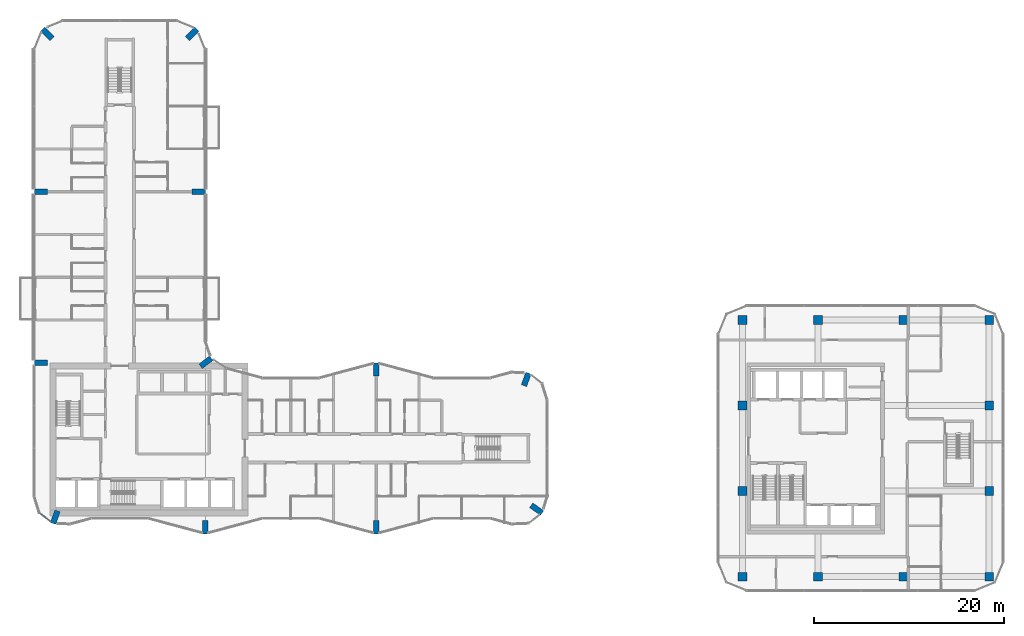
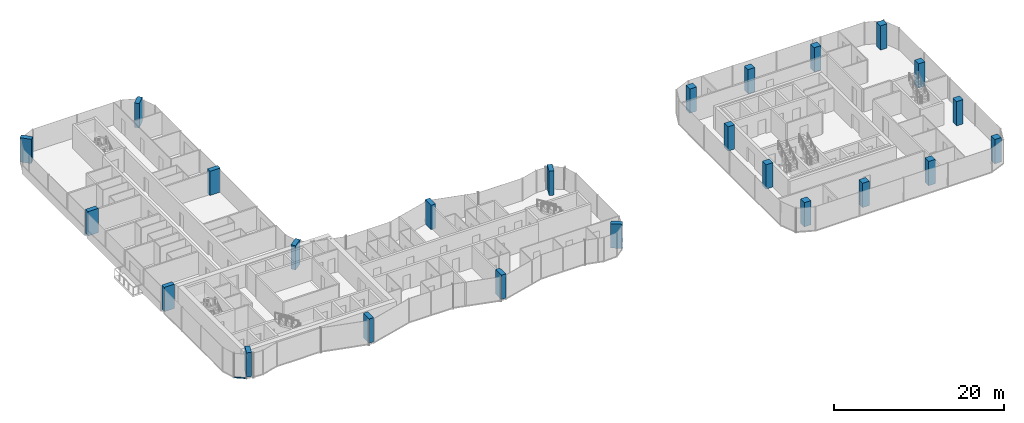
# One storey, part 1 of 22: 24 columns, 1 member, 1 element without a shape of its own.
"""IFC4 building model written with IfcOpenShell, lengths in metres."""

from ifc_helpers import new_model, si_unit, direction, frame, origin, origin_2d, place, context, subcontext, project, spatial, rectangle, extrude, material, layer, layer_set, material_profile, profile_set, type_object, element, aggregate, save


model = new_model("IFC4")

# Units and contexts
model_context = context("Model", 3, precision=1e-05, world=origin(), true_north=direction((0.0, 1.0)))
body_context = subcontext(model_context, "Body", "Model", "MODEL_VIEW")
ifc_project = project(units=[si_unit("LENGTHUNIT", "METRE"), si_unit("AREAUNIT", "SQUARE_METRE"), si_unit("VOLUMEUNIT", "CUBIC_METRE"), si_unit("PLANEANGLEUNIT", "RADIAN"), si_unit("MASSUNIT", "GRAM", prefix="KILO")], contexts=[model_context])

# Site, building, storey
site_placement = place(None, origin())
site = spatial("IfcSite", under=ifc_project, at=site_placement, CompositionType="ELEMENT")
building_placement = place(site_placement, origin())
building = spatial("IfcBuilding", under=site, at=building_placement, Name="Plateau Cross Towers", CompositionType="ELEMENT")
storey_placement = place(building_placement, frame((0.0, 0.0, 102.800048828125)))
storey = spatial("IfcBuildingStorey", under=building, at=storey_placement, Name="L26", CompositionType="ELEMENT", Elevation=102.800048828125)

# Columns
ifc_material_1 = material(Name="Concrete C60/75", Category="concrete")
ifc_material_profile_1 = material_profile(ifc_material_1, rectangle(XDim=0.60009765625, YDim=1.39990234375, at=origin_2d()), Name="RC 600x1400")
ifc_profile_set_1 = profile_set([ifc_material_profile_1], Name="Concrete C60/75")
column_type_1 = type_object("IfcColumnType", Name="Fin pier column RC 600x1400", PredefinedType="COLUMN", material=ifc_profile_set_1)
for number, where, z_axis, x_axis, name in (
    (1, (18.0, 0.699951171875, 0.0), (0.0, 0.0, 1.0), (1.0, 0.0, 0.0), "PR1 L26"),
    (2, (36.0, 0.699951171875, 0.0), (0.0, 0.0, 1.0), (1.0, 0.0, 0.0), "PR2 L26"),
    (3, (52.884033203125, 2.590087890625, 0.0), (0.0, 0.0, 1.0), (0.573542637991, 0.819175709117, 0.0), "PR3 L26"),
    (4, (51.786865234375, 16.251953125, 0.0), (0.0, 0.0, 1.0), (-0.939664280925, 0.342097996418, 0.0), "PR4 L26"),
    (5, (36.0, 17.300048828125, 0.0), (0.0, 0.0, 1.0), (1.0, 0.0, 0.0), "PR5 L26"),
    (6, (18.064697265625, 18.049560546875, 0.0), (0.0, 0.0, 1.0), (-0.608810846443, 0.793315418515, 0.0), "PR6 L26"),
    (7, (17.300048828125, 36.0, 0.0), (0.0, 0.0, 1.0), (0.0, 1.0, 0.0), "PR7 L26"),
    (8, (16.62646484375, 52.62646484375, 0.0), (0.0, 0.0, 1.0), (-0.707106781187, 0.707106781187, 0.0), "PR8 L26"),
    (9, (1.37353515625, 52.62646484375, 0.0), (0.0, 0.0, 1.0), (0.707106781187, 0.707106781187, 0.0), "PR9 L26"),
    (10, (0.699951171875, 36.0, 0.0), (0.0, 0.0, 1.0), (0.0, 1.0, 0.0), "PR10 L26"),
    (11, (0.699951171875, 18.0, 0.0), (0.0, 0.0, 1.0), (0.0, 1.0, 0.0), "PR11 L26"),
    (12, (2.213134765625, 1.748046875, 0.0), (0.0, 0.0, 1.0), (-0.939664280925, 0.342097996418, 0.0), "PR12 L26"),
):
    element("IfcColumn", number, at=place(storey_placement, frame(where, z_axis=z_axis, x_axis=x_axis)), inside=storey, type_object=column_type_1, Name=name, PredefinedType="COLUMN", context=body_context, shape_type="SweptSolid", body=[
        extrude(rectangle(XDim=0.60009765625, YDim=1.39990234375, at=origin_2d()), origin(), (0.0, 0.0, 1.0), 3.5),
    ])
ifc_material_profile_2 = material_profile(ifc_material_1, rectangle(XDim=0.89990234375, YDim=0.89990234375, at=origin_2d()), Name="RC 900x900")
ifc_profile_set_2 = profile_set([ifc_material_profile_2], Name="Concrete C60/75")
column_type_2 = type_object("IfcColumnType", Name="Office column RC 900x900", PredefinedType="COLUMN", material=ifc_profile_set_2)
for number, where, z_axis, x_axis, name in (
    (13, (74.550048828125, -4.5, 0.0), (0.0, 0.0, 1.0), (1.0, 0.0, 0.0), "B-C746_-45 L26"),
    (14, (82.5, -4.5, 0.0), (0.0, 0.0, 1.0), (1.0, 0.0, 0.0), "B-C825_-45 L26"),
    (15, (91.5, -4.5, 0.0), (0.0, 0.0, 1.0), (1.0, 0.0, 0.0), "B-C915_-45 L26"),
    (16, (100.5, -4.5, 0.0), (0.0, 0.0, 1.0), (1.0, 0.0, 0.0), "B-C1005_-45 L26"),
    (17, (100.5, 4.5, 0.0), (0.0, 0.0, 1.0), (1.0, 0.0, 0.0), "B-C1005_45 L26"),
    (18, (100.5, 13.5, 0.0), (0.0, 0.0, 1.0), (1.0, 0.0, 0.0), "B-C1005_135 L26"),
    (19, (100.5, 22.5, 0.0), (0.0, 0.0, 1.0), (1.0, 0.0, 0.0), "B-C1005_225 L26"),
    (20, (91.5, 22.5, 0.0), (0.0, 0.0, 1.0), (1.0, 0.0, 0.0), "B-C915_225 L26"),
    (21, (82.5, 22.5, 0.0), (0.0, 0.0, 1.0), (1.0, 0.0, 0.0), "B-C825_225 L26"),
    (22, (74.550048828125, 22.5, 0.0), (0.0, 0.0, 1.0), (1.0, 0.0, 0.0), "B-C746_225 L26"),
    (23, (74.550048828125, 13.5, 0.0), (0.0, 0.0, 1.0), (1.0, 0.0, 0.0), "B-C746_135 L26"),
    (24, (74.550048828125, 4.5, 0.0), (0.0, 0.0, 1.0), (1.0, 0.0, 0.0), "B-C746_45 L26"),
):
    element("IfcColumn", number, at=place(storey_placement, frame(where, z_axis=z_axis, x_axis=x_axis)), inside=storey, type_object=column_type_2, Name=name, PredefinedType="COLUMN", context=body_context, shape_type="SweptSolid", body=[
        extrude(rectangle(XDim=0.89990234375, YDim=0.89990234375, at=origin_2d()), origin(), (0.0, 0.0, 1.0), 3.5),
    ])

# Curtain wall, member
ifc_material_2 = material(Name="Dark low-iron glass", Category="glass")
ifc_layer = layer(ifc_material_2, 0.239990234375)
ifc_layer_set = layer_set([ifc_layer], Name="Dark low-iron glass")
curtain_wall_type = type_object("IfcCurtainWallType", Name="Curtain wall flush unitised CW-B", PredefinedType="NOTDEFINED", material=ifc_layer_set)
curtain_wall_placement = place(storey_placement, origin())
curtain_wall = element("IfcCurtainWall", 25, at=curtain_wall_placement, inside=storey, type_object=curtain_wall_type, Name="ENV/A/L26/A5_22", PredefinedType="NOTDEFINED")
ifc_material_3 = material(Name="Black anodised aluminium", Category="aluminium")
ifc_material_profile_3 = material_profile(ifc_material_3, rectangle(XDim=0.10009765625, YDim=0.1201171875, at=origin_2d()), Name="TRANSOM 100x120")
ifc_profile_set_3 = profile_set([ifc_material_profile_3], Name="Black anodised aluminium")
member_type = type_object("IfcMemberType", Name="Transom 100x120 flush unitised", PredefinedType="USERDEFINED", material=ifc_profile_set_3)
member_placement = place(storey_placement, frame((0.54248046875, 2.1884765625, -0.18994140625), z_axis=(0.793320508571, -0.608804213751, 0.0), x_axis=(0.608804213751, 0.793320508571, 0.0)))
member = element("IfcMember", 26, at=member_placement, type_object=member_type, Name="CW-B transom", ObjectType="TRANSOM", PredefinedType="USERDEFINED", context=body_context, shape_type="SweptSolid", body=[
    extrude(rectangle(XDim=0.10009765625, YDim=0.1201171875, at=origin_2d()), origin(), (0.0, 0.0, 1.0), 1.471435546875),
])
aggregate(curtain_wall, [member])

save(model, "model.ifc")
